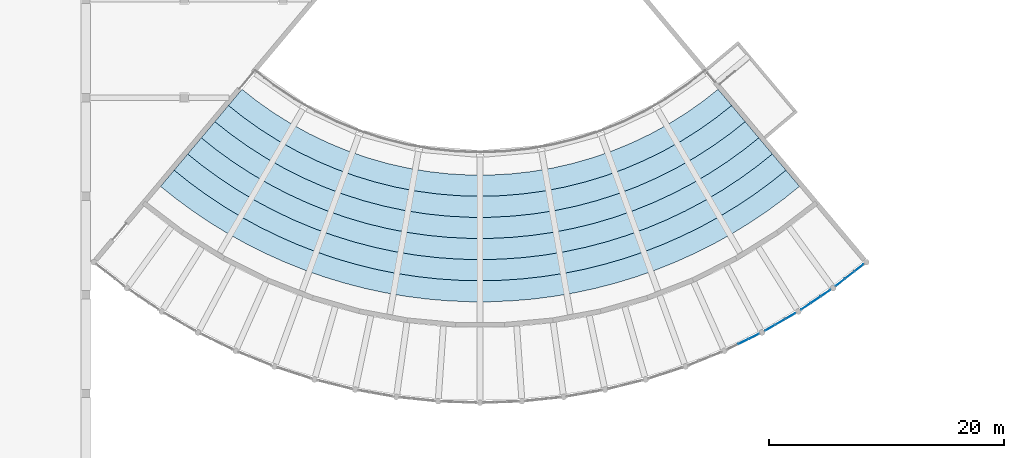
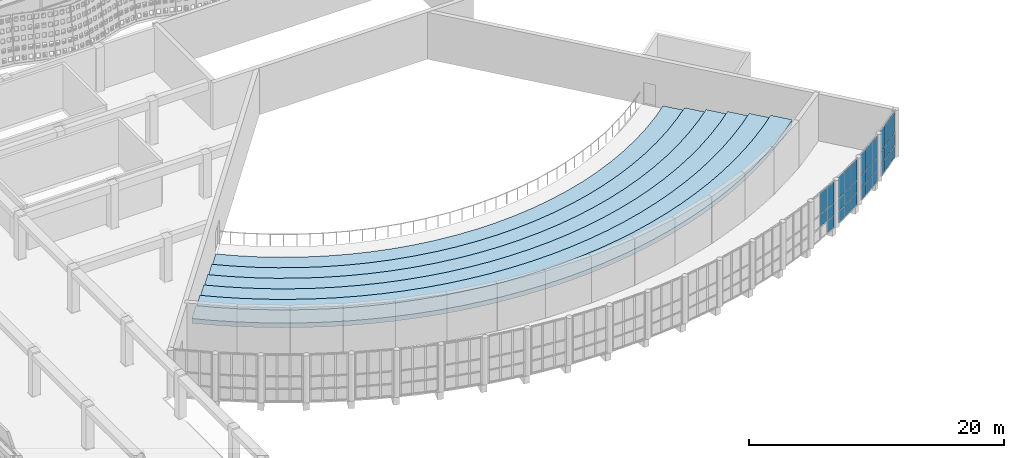
# One storey, part 72 of 162: 32 plates, 6 slabs, 4 elements without a shape of their own.
"""IFC4 building model written with IfcOpenShell, lengths in metres."""

from ifc_helpers import new_model, si_unit, direction, frame, origin, origin_2d, place, context, subcontext, project, spatial, polyline, rectangle, outline, extrude, material, layer, layer_set, type_object, element, aggregate, save


model = new_model("IFC4")

# Units and contexts
model_context = context("Model", 3, precision=1e-05, world=origin(), true_north=direction((0.0, 1.0)))
body_context = subcontext(model_context, "Body", "Model", "MODEL_VIEW")
ifc_project = project(units=[si_unit("LENGTHUNIT", "METRE"), si_unit("AREAUNIT", "SQUARE_METRE"), si_unit("VOLUMEUNIT", "CUBIC_METRE"), si_unit("PLANEANGLEUNIT", "RADIAN"), si_unit("MASSUNIT", "GRAM", prefix="KILO")], contexts=[model_context])

# Site, building, storey
site_placement = place(None, origin())
site = spatial("IfcSite", under=ifc_project, at=site_placement, CompositionType="ELEMENT")
building_placement = place(site_placement, origin())
building = spatial("IfcBuilding", under=site, at=building_placement, Name="Rain Tree Exposition and Congress Centre", CompositionType="ELEMENT")
storey_placement = place(building_placement, frame((0.0, 0.0, 6.0)))
storey = spatial("IfcBuildingStorey", under=building, at=storey_placement, Name="L01", CompositionType="ELEMENT", Elevation=6.0)

# Slabs
ifc_material_1 = material(Name="Precast concrete C50/60", Category="concrete")
ifc_layer_1 = layer(ifc_material_1, 0.449951171875)
ifc_layer_set_1 = layer_set([ifc_layer_1], Name="Precast concrete C50/60")
slab_type = type_object("IfcSlabType", Name="Balcony step slab 450", PredefinedType="FLOOR", material=ifc_layer_set_1)
slab_1_placement = place(storey_placement, frame((0.0, 0.0, -0.199951171875)))
element("IfcSlab", 1, at=slab_1_placement, inside=storey, type_object=slab_type, Name="Upper tier row 2", ObjectType="SEATING TIER", PredefinedType="USERDEFINED", context=body_context, shape_type="SweptSolid", body=[
    extrude(outline(polyline([(221.784912109375, 40.338623046875), (223.041015625, 41.33642578125), (221.8837890625, 42.715576171875), (220.64892578125, 41.73681640625), (219.197998046875, 40.713134765625), (217.69189453125, 39.772216796875), (216.1357421875, 38.91650390625), (214.5341796875, 38.1494140625), (212.892333984375, 37.472412109375), (211.21533203125, 36.888427734375), (209.50830078125, 36.399169921875), (207.776611328125, 36.005615234375), (206.025634765625, 35.70947265625), (204.260986328125, 35.511474609375), (202.48779296875, 35.412353515625), (200.712158203125, 35.412353515625), (198.93896484375, 35.511474609375), (197.17431640625, 35.70947265625), (195.42333984375, 36.005615234375), (193.691650390625, 36.399169921875), (191.984619140625, 36.888427734375), (190.3076171875, 37.472412109375), (188.665771484375, 38.1494140625), (187.064208984375, 38.91650390625), (185.508056640625, 39.772216796875), (184.002197265625, 40.713134765625), (182.551025390625, 41.73681640625), (181.316162109375, 42.715576171875), (180.158935546875, 41.33642578125), (181.4150390625, 40.338623046875), (182.885986328125, 39.2939453125), (184.410888671875, 38.32958984375), (185.9853515625, 37.44873046875), (187.604736328125, 36.6533203125), (189.2646484375, 35.9462890625), (190.9599609375, 35.3291015625), (192.68603515625, 34.803955078125), (194.437744140625, 34.372314453125), (196.210205078125, 34.03515625), (197.998046875, 33.793701171875), (199.79638671875, 33.6484375), (201.60009765625, 33.60009765625), (203.403564453125, 33.6484375), (205.201904296875, 33.793701171875), (206.98974609375, 34.03515625), (208.76220703125, 34.372314453125), (210.513916015625, 34.803955078125), (212.239990234375, 35.3291015625), (213.935302734375, 35.9462890625), (215.59521484375, 36.6533203125), (217.214599609375, 37.44873046875), (218.7890625, 38.32958984375), (220.31396484375, 39.2939453125), (221.784912109375, 40.338623046875)])), origin(), (0.0, 0.0, 1.0), 0.449951171875),
])
slab_2_placement = place(storey_placement, frame((0.0, 0.0, 0.050048828125)))
element("IfcSlab", 2, at=slab_2_placement, inside=storey, type_object=slab_type, Name="Upper tier row 3", ObjectType="SEATING TIER", PredefinedType="USERDEFINED", context=body_context, shape_type="SweptSolid", body=[
    extrude(outline(polyline([(222.922607421875, 38.942138671875), (224.197998046875, 39.95751953125), (223.041015625, 41.33642578125), (221.784912109375, 40.338623046875), (220.31396484375, 39.2939453125), (218.7890625, 38.32958984375), (217.214599609375, 37.44873046875), (215.59521484375, 36.6533203125), (213.935302734375, 35.9462890625), (212.239990234375, 35.3291015625), (210.513916015625, 34.803955078125), (208.76220703125, 34.372314453125), (206.98974609375, 34.03515625), (205.201904296875, 33.793701171875), (203.403564453125, 33.6484375), (201.60009765625, 33.60009765625), (199.79638671875, 33.6484375), (197.998046875, 33.793701171875), (196.210205078125, 34.03515625), (194.437744140625, 34.372314453125), (192.68603515625, 34.803955078125), (190.9599609375, 35.3291015625), (189.2646484375, 35.9462890625), (187.604736328125, 36.6533203125), (185.9853515625, 37.44873046875), (184.410888671875, 38.32958984375), (182.885986328125, 39.2939453125), (181.4150390625, 40.338623046875), (180.158935546875, 41.33642578125), (179.001953125, 39.95751953125), (180.277587890625, 38.942138671875), (181.7666015625, 37.877685546875), (183.308837890625, 36.8916015625), (184.89990234375, 35.98681640625), (186.53564453125, 35.165283203125), (188.211669921875, 34.429443359375), (189.923583984375, 33.781005859375), (191.66650390625, 33.222412109375), (193.436279296875, 32.754150390625), (195.2275390625, 32.37841796875), (197.0361328125, 32.095458984375), (198.856689453125, 31.906494140625), (200.684814453125, 31.811767578125), (202.51513671875, 31.811767578125), (204.34326171875, 31.906494140625), (206.163818359375, 32.095458984375), (207.972412109375, 32.37841796875), (209.763916015625, 32.754150390625), (211.533447265625, 33.222412109375), (213.2763671875, 33.781005859375), (214.98828125, 34.429443359375), (216.664306640625, 35.165283203125), (218.300048828125, 35.98681640625), (219.89111328125, 36.8916015625), (221.433349609375, 37.877685546875), (222.922607421875, 38.942138671875)])), origin(), (0.0, 0.0, 1.0), 0.449951171875),
])
slab_3_placement = place(storey_placement, frame((0.0, 0.0, 0.300048828125)))
element("IfcSlab", 3, at=slab_3_placement, inside=storey, type_object=slab_type, Name="Upper tier row 4", ObjectType="SEATING TIER", PredefinedType="USERDEFINED", context=body_context, shape_type="SweptSolid", body=[
    extrude(outline(polyline([(224.112548828125, 37.585205078125), (225.35546875, 38.578125), (224.197998046875, 39.95751953125), (222.922607421875, 38.942138671875), (221.433349609375, 37.877685546875), (219.89111328125, 36.8916015625), (218.300048828125, 35.98681640625), (216.664306640625, 35.165283203125), (214.98828125, 34.429443359375), (213.2763671875, 33.781005859375), (211.533447265625, 33.222412109375), (209.763916015625, 32.754150390625), (207.972412109375, 32.37841796875), (206.163818359375, 32.095458984375), (204.34326171875, 31.906494140625), (202.51513671875, 31.811767578125), (200.684814453125, 31.811767578125), (198.856689453125, 31.906494140625), (197.0361328125, 32.095458984375), (195.2275390625, 32.37841796875), (193.436279296875, 32.754150390625), (191.66650390625, 33.222412109375), (189.923583984375, 33.781005859375), (188.211669921875, 34.429443359375), (186.53564453125, 35.165283203125), (184.89990234375, 35.98681640625), (183.308837890625, 36.8916015625), (181.7666015625, 37.877685546875), (180.277587890625, 38.942138671875), (179.001953125, 39.95751953125), (177.844482421875, 38.578125), (179.08740234375, 37.585205078125), (180.538818359375, 36.5361328125), (182.0390625, 35.55810546875), (183.584716796875, 34.6533203125), (185.172119140625, 33.823974609375), (186.79736328125, 33.072021484375), (188.45703125, 32.399169921875), (190.147216796875, 31.806884765625), (191.86376953125, 31.296630859375), (193.60302734375, 30.86962890625), (195.36083984375, 30.52685546875), (197.133056640625, 30.269287109375), (198.915771484375, 30.096923828125), (200.70458984375, 30.0107421875), (202.495361328125, 30.0107421875), (204.2841796875, 30.096923828125), (206.06689453125, 30.269287109375), (207.839111328125, 30.52685546875), (209.596923828125, 30.86962890625), (211.336181640625, 31.296630859375), (213.052734375, 31.806884765625), (214.742919921875, 32.399169921875), (216.402587890625, 33.072021484375), (218.028076171875, 33.823974609375), (219.615234375, 34.6533203125), (221.160888671875, 35.55810546875), (222.6611328125, 36.5361328125), (224.112548828125, 37.585205078125)])), origin(), (0.0, 0.0, 1.0), 0.449951171875),
])
slab_4_placement = place(storey_placement, frame((0.0, 0.0, 0.550048828125)))
element("IfcSlab", 4, at=slab_4_placement, inside=storey, type_object=slab_type, Name="Upper tier row 5", ObjectType="SEATING TIER", PredefinedType="USERDEFINED", context=body_context, shape_type="SweptSolid", body=[
    extrude(outline(polyline([(225.251708984375, 36.190185546875), (226.512451171875, 37.19921875), (225.35546875, 38.578125), (224.112548828125, 37.585205078125), (222.6611328125, 36.5361328125), (221.160888671875, 35.55810546875), (219.615234375, 34.6533203125), (218.028076171875, 33.823974609375), (216.402587890625, 33.072021484375), (214.742919921875, 32.399169921875), (213.052734375, 31.806884765625), (211.336181640625, 31.296630859375), (209.596923828125, 30.86962890625), (207.839111328125, 30.52685546875), (206.06689453125, 30.269287109375), (204.2841796875, 30.096923828125), (202.495361328125, 30.0107421875), (200.70458984375, 30.0107421875), (198.915771484375, 30.096923828125), (197.133056640625, 30.269287109375), (195.36083984375, 30.52685546875), (193.60302734375, 30.86962890625), (191.86376953125, 31.296630859375), (190.147216796875, 31.806884765625), (188.45703125, 32.399169921875), (186.79736328125, 33.072021484375), (185.172119140625, 33.823974609375), (183.584716796875, 34.6533203125), (182.0390625, 35.55810546875), (180.538818359375, 36.5361328125), (179.08740234375, 37.585205078125), (177.844482421875, 38.578125), (176.6875, 37.19921875), (177.948486328125, 36.190185546875), (179.416748046875, 35.12353515625), (180.93310546875, 34.126220703125), (182.494384765625, 33.200439453125), (184.0966796875, 32.348388671875), (185.7373046875, 31.57177734375), (187.412109375, 30.872314453125), (189.11767578125, 30.25146484375), (190.85009765625, 29.710693359375), (192.60595703125, 29.251220703125), (194.38134765625, 28.873779296875), (196.172119140625, 28.57958984375), (197.97509765625, 28.368896484375), (199.785400390625, 28.2421875), (201.60009765625, 28.199951171875), (203.41455078125, 28.2421875), (205.22509765625, 28.368896484375), (207.02783203125, 28.57958984375), (208.818603515625, 28.873779296875), (210.593994140625, 29.251220703125), (212.349853515625, 29.710693359375), (214.08251953125, 30.25146484375), (215.787841796875, 30.872314453125), (217.462646484375, 31.57177734375), (219.103271484375, 32.348388671875), (220.705810546875, 33.200439453125), (222.266845703125, 34.126220703125), (223.783203125, 35.12353515625), (225.251708984375, 36.190185546875)])), origin(), (0.0, 0.0, 1.0), 0.449951171875),
])
slab_5_placement = place(storey_placement, frame((0.0, 0.0, 0.800048828125)))
element("IfcSlab", 5, at=slab_5_placement, inside=storey, type_object=slab_type, Name="Upper tier row 6", ObjectType="SEATING TIER", PredefinedType="USERDEFINED", context=body_context, shape_type="SweptSolid", body=[
    extrude(outline(polyline([(226.4375, 34.831298828125), (227.669677734375, 35.8203125), (226.512451171875, 37.19921875), (225.251708984375, 36.190185546875), (223.783203125, 35.12353515625), (222.266845703125, 34.126220703125), (220.705810546875, 33.200439453125), (219.103271484375, 32.348388671875), (217.462646484375, 31.57177734375), (215.787841796875, 30.872314453125), (214.08251953125, 30.25146484375), (212.349853515625, 29.710693359375), (210.593994140625, 29.251220703125), (208.818603515625, 28.873779296875), (207.02783203125, 28.57958984375), (205.22509765625, 28.368896484375), (203.41455078125, 28.2421875), (201.60009765625, 28.199951171875), (199.785400390625, 28.2421875), (197.97509765625, 28.368896484375), (196.172119140625, 28.57958984375), (194.38134765625, 28.873779296875), (192.60595703125, 29.251220703125), (190.85009765625, 29.710693359375), (189.11767578125, 30.25146484375), (187.412109375, 30.872314453125), (185.7373046875, 31.57177734375), (184.0966796875, 32.348388671875), (182.494384765625, 33.200439453125), (180.93310546875, 34.126220703125), (179.416748046875, 35.12353515625), (177.948486328125, 36.190185546875), (176.6875, 37.19921875), (175.5302734375, 35.8203125), (176.762451171875, 34.831298828125), (178.197998046875, 33.778564453125), (179.67822265625, 32.78955078125), (181.199951171875, 31.8662109375), (182.7607421875, 31.010009765625), (184.357177734375, 30.22265625), (185.986572265625, 29.505615234375), (187.6455078125, 28.860595703125), (189.331298828125, 28.288330078125), (191.040283203125, 27.790283203125), (192.769287109375, 27.3671875), (194.51513671875, 27.019775390625), (196.2744140625, 26.7490234375), (198.0439453125, 26.555419921875), (199.8203125, 26.438720703125), (201.60009765625, 26.39990234375), (203.379638671875, 26.438720703125), (205.156005859375, 26.555419921875), (206.925537109375, 26.7490234375), (208.684814453125, 27.019775390625), (210.4306640625, 27.3671875), (212.159912109375, 27.790283203125), (213.868896484375, 28.288330078125), (215.554443359375, 28.860595703125), (217.21337890625, 29.505615234375), (218.8427734375, 30.22265625), (220.439208984375, 31.010009765625), (222.0, 31.8662109375), (223.521728515625, 32.78955078125), (225.001953125, 33.778564453125), (226.4375, 34.831298828125)])), origin(), (0.0, 0.0, 1.0), 0.449951171875),
])
slab_6_placement = place(storey_placement, frame((0.0, 0.0, 1.050048828125)))
element("IfcSlab", 6, at=slab_6_placement, inside=storey, type_object=slab_type, Name="Upper tier row 7", ObjectType="SEATING TIER", PredefinedType="USERDEFINED", context=body_context, shape_type="SweptSolid", body=[
    extrude(outline(polyline([(227.577880859375, 33.4375), (228.826904296875, 34.441162109375), (227.669677734375, 35.8203125), (226.4375, 34.831298828125), (225.001953125, 33.778564453125), (223.521728515625, 32.78955078125), (222.0, 31.8662109375), (220.439208984375, 31.010009765625), (218.8427734375, 30.22265625), (217.21337890625, 29.505615234375), (215.554443359375, 28.860595703125), (213.868896484375, 28.288330078125), (212.159912109375, 27.790283203125), (210.4306640625, 27.3671875), (208.684814453125, 27.019775390625), (206.925537109375, 26.7490234375), (205.156005859375, 26.555419921875), (203.379638671875, 26.438720703125), (201.60009765625, 26.39990234375), (199.8203125, 26.438720703125), (198.0439453125, 26.555419921875), (196.2744140625, 26.7490234375), (194.51513671875, 27.019775390625), (192.769287109375, 27.3671875), (191.040283203125, 27.790283203125), (189.331298828125, 28.288330078125), (187.6455078125, 28.860595703125), (185.986572265625, 29.505615234375), (184.357177734375, 30.22265625), (182.7607421875, 31.010009765625), (181.199951171875, 31.8662109375), (179.67822265625, 32.78955078125), (178.197998046875, 33.778564453125), (176.762451171875, 34.831298828125), (175.5302734375, 35.8203125), (174.373291015625, 34.441162109375), (175.6220703125, 33.4375), (177.073486328125, 32.368896484375), (178.568603515625, 31.362548828125), (180.105224609375, 30.42041015625), (181.68017578125, 29.544189453125), (183.290771484375, 28.7353515625), (184.93408203125, 27.995361328125), (186.607421875, 27.325439453125), (188.307373046875, 26.72705078125), (190.03125, 26.200927734375), (191.77587890625, 25.748291015625), (193.537841796875, 25.369873046875), (195.314453125, 25.06640625), (197.102294921875, 24.838134765625), (198.898193359375, 24.685791015625), (200.69873046875, 24.609619140625), (202.501220703125, 24.609619140625), (204.302001953125, 24.685791015625), (206.09765625, 24.838134765625), (207.885498046875, 25.06640625), (209.662109375, 25.369873046875), (211.42431640625, 25.748291015625), (213.168701171875, 26.200927734375), (214.892578125, 26.72705078125), (216.5927734375, 27.325439453125), (218.265869140625, 27.995361328125), (219.9091796875, 28.7353515625), (221.52001953125, 29.544189453125), (223.0947265625, 30.42041015625), (224.63134765625, 31.362548828125), (226.126708984375, 32.368896484375), (227.577880859375, 33.4375)])), origin(), (0.0, 0.0, 1.0), 0.449951171875),
])

# Curtain wall, plates
ifc_material_2 = material(Name="Aluminium", Category="aluminium")
ifc_layer_2 = layer(ifc_material_2, 0.10009765625)
ifc_layer_set_2 = layer_set([ifc_layer_2], Name="Aluminium")
curtain_wall_type = type_object("IfcCurtainWallType", Name="Curtain wall congress", PredefinedType="NOTDEFINED", material=ifc_layer_set_2)
curtain_wall_1_placement = place(storey_placement, origin())
curtain_wall_1 = element("IfcCurtainWall", 7, at=curtain_wall_1_placement, inside=storey, type_object=curtain_wall_type, Name="Curtain wall L01 bay 17", PredefinedType="NOTDEFINED")
ifc_material_3 = material(Name="Double glazed unit", Category="glass")
ifc_layer_3 = layer(ifc_material_3, 0.028076171875)
ifc_layer_set_3 = layer_set([ifc_layer_3], Name="Double glazed unit")
plate_type = type_object("IfcPlateType", Name="Glazing panel 28 congress", PredefinedType="CURTAIN_PANEL", material=ifc_layer_set_3)
plate_1_placement = place(storey_placement, frame((224.031005859375, 21.209716796875, 1.22998046875), z_axis=(0.0, 0.0, 1.0), x_axis=(0.898795334475, 0.438368505628, 0.0)))
plate_1 = element("IfcPlate", 8, at=plate_1_placement, type_object=plate_type, Name="CWG217 panel 2.2", PredefinedType="CURTAIN_PANEL", context=body_context, shape_type="SweptSolid", body=[
    extrude(rectangle(XDim=0.964599609375, YDim=0.028076171875, at=origin_2d()), origin(), (0.0, 0.0, 1.0), 1.139892578125),
])
plate_2_placement = place(storey_placement, frame((224.031005859375, 21.209716796875, 2.43017578125), z_axis=(0.0, 0.0, 1.0), x_axis=(0.898795334475, 0.438368505628, 0.0)))
plate_2 = element("IfcPlate", 9, at=plate_2_placement, type_object=plate_type, Name="CWG217 panel 2.3", PredefinedType="CURTAIN_PANEL", context=body_context, shape_type="SweptSolid", body=[
    extrude(rectangle(XDim=0.964599609375, YDim=0.028076171875, at=origin_2d()), origin(), (0.0, 0.0, 1.0), 2.010009765625),
])
plate_3_placement = place(storey_placement, frame((224.938232421875, 21.65234375, 0.06005859375), z_axis=(0.0, 0.0, 1.0), x_axis=(0.898795334475, 0.438368505628, 0.0)))
plate_3 = element("IfcPlate", 10, at=plate_3_placement, type_object=plate_type, Name="CWG217 panel 3.1", PredefinedType="CURTAIN_PANEL", context=body_context, shape_type="SweptSolid", body=[
    extrude(rectangle(XDim=0.9345703125, YDim=0.028076171875, at=origin_2d()), origin(), (0.0, 0.0, 1.0), 1.110107421875),
])
plate_4_placement = place(storey_placement, frame((224.938232421875, 21.65234375, 1.22998046875), z_axis=(0.0, 0.0, 1.0), x_axis=(0.898795334475, 0.438368505628, 0.0)))
plate_4 = element("IfcPlate", 11, at=plate_4_placement, type_object=plate_type, Name="CWG217 panel 3.2", PredefinedType="CURTAIN_PANEL", context=body_context, shape_type="SweptSolid", body=[
    extrude(rectangle(XDim=0.9345703125, YDim=0.028076171875, at=origin_2d()), origin(), (0.0, 0.0, 1.0), 1.139892578125),
])
plate_5_placement = place(storey_placement, frame((224.938232421875, 21.65234375, 2.43017578125), z_axis=(0.0, 0.0, 1.0), x_axis=(0.898795334475, 0.438368505628, 0.0)))
plate_5 = element("IfcPlate", 12, at=plate_5_placement, type_object=plate_type, Name="CWG217 panel 3.3", PredefinedType="CURTAIN_PANEL", context=body_context, shape_type="SweptSolid", body=[
    extrude(rectangle(XDim=0.9345703125, YDim=0.028076171875, at=origin_2d()), origin(), (0.0, 0.0, 1.0), 2.010009765625),
])
aggregate(curtain_wall_1, [plate_1, plate_2, plate_3, plate_4, plate_5])

curtain_wall_2_placement = place(storey_placement, origin())
curtain_wall_2 = element("IfcCurtainWall", 13, at=curtain_wall_2_placement, inside=storey, type_object=curtain_wall_type, Name="Curtain wall L01 bay 18", PredefinedType="NOTDEFINED")
plate_6_placement = place(storey_placement, frame((226.31005859375, 22.3818359375, 0.06005859375), z_axis=(0.0, 0.0, 1.0), x_axis=(0.866032261861, 0.499988121275, 0.0)))
plate_6 = element("IfcPlate", 14, at=plate_6_placement, type_object=plate_type, Name="CWG218 panel 1.1", PredefinedType="CURTAIN_PANEL", context=body_context, shape_type="SweptSolid", body=[
    extrude(rectangle(XDim=0.9345703125, YDim=0.028076171875, at=origin_2d()), origin(), (0.0, 0.0, 1.0), 1.110107421875),
])
plate_7_placement = place(storey_placement, frame((226.31005859375, 22.3818359375, 1.22998046875), z_axis=(0.0, 0.0, 1.0), x_axis=(0.866032261861, 0.499988121275, 0.0)))
plate_7 = element("IfcPlate", 15, at=plate_7_placement, type_object=plate_type, Name="CWG218 panel 1.2", PredefinedType="CURTAIN_PANEL", context=body_context, shape_type="SweptSolid", body=[
    extrude(rectangle(XDim=0.9345703125, YDim=0.028076171875, at=origin_2d()), origin(), (0.0, 0.0, 1.0), 1.139892578125),
])
plate_8_placement = place(storey_placement, frame((226.31005859375, 22.3818359375, 2.43017578125), z_axis=(0.0, 0.0, 1.0), x_axis=(0.866032261861, 0.499988121275, 0.0)))
plate_8 = element("IfcPlate", 16, at=plate_8_placement, type_object=plate_type, Name="CWG218 panel 1.3", PredefinedType="CURTAIN_PANEL", context=body_context, shape_type="SweptSolid", body=[
    extrude(rectangle(XDim=0.9345703125, YDim=0.028076171875, at=origin_2d()), origin(), (0.0, 0.0, 1.0), 2.010009765625),
])
plate_9_placement = place(storey_placement, frame((227.1845703125, 22.886474609375, 0.06005859375), z_axis=(0.0, 0.0, 1.0), x_axis=(0.866032261861, 0.499988121275, 0.0)))
plate_9 = element("IfcPlate", 17, at=plate_9_placement, type_object=plate_type, Name="CWG218 panel 2.1", PredefinedType="CURTAIN_PANEL", context=body_context, shape_type="SweptSolid", body=[
    extrude(rectangle(XDim=0.964599609375, YDim=0.028076171875, at=origin_2d()), origin(), (0.0, 0.0, 1.0), 1.110107421875),
])
plate_10_placement = place(storey_placement, frame((227.1845703125, 22.886474609375, 1.22998046875), z_axis=(0.0, 0.0, 1.0), x_axis=(0.866032261861, 0.499988121275, 0.0)))
plate_10 = element("IfcPlate", 18, at=plate_10_placement, type_object=plate_type, Name="CWG218 panel 2.2", PredefinedType="CURTAIN_PANEL", context=body_context, shape_type="SweptSolid", body=[
    extrude(rectangle(XDim=0.964599609375, YDim=0.028076171875, at=origin_2d()), origin(), (0.0, 0.0, 1.0), 1.139892578125),
])
plate_11_placement = place(storey_placement, frame((227.1845703125, 22.886474609375, 2.43017578125), z_axis=(0.0, 0.0, 1.0), x_axis=(0.866032261861, 0.499988121275, 0.0)))
plate_11 = element("IfcPlate", 19, at=plate_11_placement, type_object=plate_type, Name="CWG218 panel 2.3", PredefinedType="CURTAIN_PANEL", context=body_context, shape_type="SweptSolid", body=[
    extrude(rectangle(XDim=0.964599609375, YDim=0.028076171875, at=origin_2d()), origin(), (0.0, 0.0, 1.0), 2.010009765625),
])
plate_12_placement = place(storey_placement, frame((228.058837890625, 23.391357421875, 0.06005859375), z_axis=(0.0, 0.0, 1.0), x_axis=(0.866032261861, 0.499988121275, 0.0)))
plate_12 = element("IfcPlate", 20, at=plate_12_placement, type_object=plate_type, Name="CWG218 panel 3.1", PredefinedType="CURTAIN_PANEL", context=body_context, shape_type="SweptSolid", body=[
    extrude(rectangle(XDim=0.9345703125, YDim=0.028076171875, at=origin_2d()), origin(), (0.0, 0.0, 1.0), 1.110107421875),
])
plate_13_placement = place(storey_placement, frame((228.058837890625, 23.391357421875, 1.22998046875), z_axis=(0.0, 0.0, 1.0), x_axis=(0.866032261861, 0.499988121275, 0.0)))
plate_13 = element("IfcPlate", 21, at=plate_13_placement, type_object=plate_type, Name="CWG218 panel 3.2", PredefinedType="CURTAIN_PANEL", context=body_context, shape_type="SweptSolid", body=[
    extrude(rectangle(XDim=0.9345703125, YDim=0.028076171875, at=origin_2d()), origin(), (0.0, 0.0, 1.0), 1.139892578125),
])
plate_14_placement = place(storey_placement, frame((228.058837890625, 23.391357421875, 2.43017578125), z_axis=(0.0, 0.0, 1.0), x_axis=(0.866032261861, 0.499988121275, 0.0)))
plate_14 = element("IfcPlate", 22, at=plate_14_placement, type_object=plate_type, Name="CWG218 panel 3.3", PredefinedType="CURTAIN_PANEL", context=body_context, shape_type="SweptSolid", body=[
    extrude(rectangle(XDim=0.9345703125, YDim=0.028076171875, at=origin_2d()), origin(), (0.0, 0.0, 1.0), 2.010009765625),
])
aggregate(curtain_wall_2, [plate_6, plate_7, plate_8, plate_9, plate_10, plate_11, plate_12, plate_13, plate_14])

curtain_wall_3_placement = place(storey_placement, origin())
curtain_wall_3 = element("IfcCurtainWall", 23, at=curtain_wall_3_placement, inside=storey, type_object=curtain_wall_type, Name="Curtain wall L01 bay 19", PredefinedType="NOTDEFINED")
plate_15_placement = place(storey_placement, frame((229.376220703125, 24.214599609375, 0.06005859375), z_axis=(0.0, 0.0, 1.0), x_axis=(0.829034948577, 0.559196793659, 0.0)))
plate_15 = element("IfcPlate", 24, at=plate_15_placement, type_object=plate_type, Name="CWG219 panel 1.1", PredefinedType="CURTAIN_PANEL", context=body_context, shape_type="SweptSolid", body=[
    extrude(rectangle(XDim=0.9345703125, YDim=0.028076171875, at=origin_2d()), origin(), (0.0, 0.0, 1.0), 1.110107421875),
])
plate_16_placement = place(storey_placement, frame((229.376220703125, 24.214599609375, 1.22998046875), z_axis=(0.0, 0.0, 1.0), x_axis=(0.829034948577, 0.559196793659, 0.0)))
plate_16 = element("IfcPlate", 25, at=plate_16_placement, type_object=plate_type, Name="CWG219 panel 1.2", PredefinedType="CURTAIN_PANEL", context=body_context, shape_type="SweptSolid", body=[
    extrude(rectangle(XDim=0.9345703125, YDim=0.028076171875, at=origin_2d()), origin(), (0.0, 0.0, 1.0), 1.139892578125),
])
plate_17_placement = place(storey_placement, frame((229.376220703125, 24.214599609375, 2.43017578125), z_axis=(0.0, 0.0, 1.0), x_axis=(0.829034948577, 0.559196793659, 0.0)))
plate_17 = element("IfcPlate", 26, at=plate_17_placement, type_object=plate_type, Name="CWG219 panel 1.3", PredefinedType="CURTAIN_PANEL", context=body_context, shape_type="SweptSolid", body=[
    extrude(rectangle(XDim=0.9345703125, YDim=0.028076171875, at=origin_2d()), origin(), (0.0, 0.0, 1.0), 2.010009765625),
])
plate_18_placement = place(storey_placement, frame((230.213134765625, 24.779052734375, 0.06005859375), z_axis=(0.0, 0.0, 1.0), x_axis=(0.829034948577, 0.559196793659, 0.0)))
plate_18 = element("IfcPlate", 27, at=plate_18_placement, type_object=plate_type, Name="CWG219 panel 2.1", PredefinedType="CURTAIN_PANEL", context=body_context, shape_type="SweptSolid", body=[
    extrude(rectangle(XDim=0.964599609375, YDim=0.028076171875, at=origin_2d()), origin(), (0.0, 0.0, 1.0), 1.110107421875),
])
plate_19_placement = place(storey_placement, frame((230.213134765625, 24.779052734375, 1.22998046875), z_axis=(0.0, 0.0, 1.0), x_axis=(0.829034948577, 0.559196793659, 0.0)))
plate_19 = element("IfcPlate", 28, at=plate_19_placement, type_object=plate_type, Name="CWG219 panel 2.2", PredefinedType="CURTAIN_PANEL", context=body_context, shape_type="SweptSolid", body=[
    extrude(rectangle(XDim=0.964599609375, YDim=0.028076171875, at=origin_2d()), origin(), (0.0, 0.0, 1.0), 1.139892578125),
])
plate_20_placement = place(storey_placement, frame((230.213134765625, 24.779052734375, 2.43017578125), z_axis=(0.0, 0.0, 1.0), x_axis=(0.829034948577, 0.559196793659, 0.0)))
plate_20 = element("IfcPlate", 29, at=plate_20_placement, type_object=plate_type, Name="CWG219 panel 2.3", PredefinedType="CURTAIN_PANEL", context=body_context, shape_type="SweptSolid", body=[
    extrude(rectangle(XDim=0.964599609375, YDim=0.028076171875, at=origin_2d()), origin(), (0.0, 0.0, 1.0), 2.010009765625),
])
plate_21_placement = place(storey_placement, frame((231.050048828125, 25.34375, 0.06005859375), z_axis=(0.0, 0.0, 1.0), x_axis=(0.829034948577, 0.559196793659, 0.0)))
plate_21 = element("IfcPlate", 30, at=plate_21_placement, type_object=plate_type, Name="CWG219 panel 3.1", PredefinedType="CURTAIN_PANEL", context=body_context, shape_type="SweptSolid", body=[
    extrude(rectangle(XDim=0.9345703125, YDim=0.028076171875, at=origin_2d()), origin(), (0.0, 0.0, 1.0), 1.110107421875),
])
plate_22_placement = place(storey_placement, frame((231.050048828125, 25.34375, 1.22998046875), z_axis=(0.0, 0.0, 1.0), x_axis=(0.829034948577, 0.559196793659, 0.0)))
plate_22 = element("IfcPlate", 31, at=plate_22_placement, type_object=plate_type, Name="CWG219 panel 3.2", PredefinedType="CURTAIN_PANEL", context=body_context, shape_type="SweptSolid", body=[
    extrude(rectangle(XDim=0.9345703125, YDim=0.028076171875, at=origin_2d()), origin(), (0.0, 0.0, 1.0), 1.139892578125),
])
plate_23_placement = place(storey_placement, frame((231.050048828125, 25.34375, 2.43017578125), z_axis=(0.0, 0.0, 1.0), x_axis=(0.829034948577, 0.559196793659, 0.0)))
plate_23 = element("IfcPlate", 32, at=plate_23_placement, type_object=plate_type, Name="CWG219 panel 3.3", PredefinedType="CURTAIN_PANEL", context=body_context, shape_type="SweptSolid", body=[
    extrude(rectangle(XDim=0.9345703125, YDim=0.028076171875, at=origin_2d()), origin(), (0.0, 0.0, 1.0), 2.010009765625),
])
aggregate(curtain_wall_3, [plate_15, plate_16, plate_17, plate_18, plate_19, plate_20, plate_21, plate_22, plate_23])

curtain_wall_4_placement = place(storey_placement, origin())
curtain_wall_4 = element("IfcCurtainWall", 33, at=curtain_wall_4_placement, inside=storey, type_object=curtain_wall_type, Name="Curtain wall L01 bay 20", PredefinedType="NOTDEFINED")
plate_24_placement = place(storey_placement, frame((232.30712890625, 26.2568359375, 0.06005859375), z_axis=(0.0, 0.0, 1.0), x_axis=(0.788003164084, 0.615671189348, 0.0)))
plate_24 = element("IfcPlate", 34, at=plate_24_placement, type_object=plate_type, Name="CWG220 panel 1.1", PredefinedType="CURTAIN_PANEL", context=body_context, shape_type="SweptSolid", body=[
    extrude(rectangle(XDim=0.9345703125, YDim=0.028076171875, at=origin_2d()), origin(), (0.0, 0.0, 1.0), 1.110107421875),
])
plate_25_placement = place(storey_placement, frame((232.30712890625, 26.2568359375, 1.22998046875), z_axis=(0.0, 0.0, 1.0), x_axis=(0.788003164084, 0.615671189348, 0.0)))
plate_25 = element("IfcPlate", 35, at=plate_25_placement, type_object=plate_type, Name="CWG220 panel 1.2", PredefinedType="CURTAIN_PANEL", context=body_context, shape_type="SweptSolid", body=[
    extrude(rectangle(XDim=0.9345703125, YDim=0.028076171875, at=origin_2d()), origin(), (0.0, 0.0, 1.0), 1.139892578125),
])
plate_26_placement = place(storey_placement, frame((232.30712890625, 26.2568359375, 2.43017578125), z_axis=(0.0, 0.0, 1.0), x_axis=(0.788003164084, 0.615671189348, 0.0)))
plate_26 = element("IfcPlate", 36, at=plate_26_placement, type_object=plate_type, Name="CWG220 panel 1.3", PredefinedType="CURTAIN_PANEL", context=body_context, shape_type="SweptSolid", body=[
    extrude(rectangle(XDim=0.9345703125, YDim=0.028076171875, at=origin_2d()), origin(), (0.0, 0.0, 1.0), 2.010009765625),
])
plate_27_placement = place(storey_placement, frame((233.1025390625, 26.87841796875, 0.06005859375), z_axis=(0.0, 0.0, 1.0), x_axis=(0.788003164084, 0.615671189348, 0.0)))
plate_27 = element("IfcPlate", 37, at=plate_27_placement, type_object=plate_type, Name="CWG220 panel 2.1", PredefinedType="CURTAIN_PANEL", context=body_context, shape_type="SweptSolid", body=[
    extrude(rectangle(XDim=0.964599609375, YDim=0.028076171875, at=origin_2d()), origin(), (0.0, 0.0, 1.0), 1.110107421875),
])
plate_28_placement = place(storey_placement, frame((233.1025390625, 26.87841796875, 1.22998046875), z_axis=(0.0, 0.0, 1.0), x_axis=(0.788003164084, 0.615671189348, 0.0)))
plate_28 = element("IfcPlate", 38, at=plate_28_placement, type_object=plate_type, Name="CWG220 panel 2.2", PredefinedType="CURTAIN_PANEL", context=body_context, shape_type="SweptSolid", body=[
    extrude(rectangle(XDim=0.964599609375, YDim=0.028076171875, at=origin_2d()), origin(), (0.0, 0.0, 1.0), 1.139892578125),
])
plate_29_placement = place(storey_placement, frame((233.1025390625, 26.87841796875, 2.43017578125), z_axis=(0.0, 0.0, 1.0), x_axis=(0.788003164084, 0.615671189348, 0.0)))
plate_29 = element("IfcPlate", 39, at=plate_29_placement, type_object=plate_type, Name="CWG220 panel 2.3", PredefinedType="CURTAIN_PANEL", context=body_context, shape_type="SweptSolid", body=[
    extrude(rectangle(XDim=0.964599609375, YDim=0.028076171875, at=origin_2d()), origin(), (0.0, 0.0, 1.0), 2.010009765625),
])
plate_30_placement = place(storey_placement, frame((233.898193359375, 27.5, 0.06005859375), z_axis=(0.0, 0.0, 1.0), x_axis=(0.788003164084, 0.615671189348, 0.0)))
plate_30 = element("IfcPlate", 40, at=plate_30_placement, type_object=plate_type, Name="CWG220 panel 3.1", PredefinedType="CURTAIN_PANEL", context=body_context, shape_type="SweptSolid", body=[
    extrude(rectangle(XDim=0.9345703125, YDim=0.028076171875, at=origin_2d()), origin(), (0.0, 0.0, 1.0), 1.110107421875),
])
plate_31_placement = place(storey_placement, frame((233.898193359375, 27.5, 1.22998046875), z_axis=(0.0, 0.0, 1.0), x_axis=(0.788003164084, 0.615671189348, 0.0)))
plate_31 = element("IfcPlate", 41, at=plate_31_placement, type_object=plate_type, Name="CWG220 panel 3.2", PredefinedType="CURTAIN_PANEL", context=body_context, shape_type="SweptSolid", body=[
    extrude(rectangle(XDim=0.9345703125, YDim=0.028076171875, at=origin_2d()), origin(), (0.0, 0.0, 1.0), 1.139892578125),
])
plate_32_placement = place(storey_placement, frame((233.898193359375, 27.5, 2.43017578125), z_axis=(0.0, 0.0, 1.0), x_axis=(0.788003164084, 0.615671189348, 0.0)))
plate_32 = element("IfcPlate", 42, at=plate_32_placement, type_object=plate_type, Name="CWG220 panel 3.3", PredefinedType="CURTAIN_PANEL", context=body_context, shape_type="SweptSolid", body=[
    extrude(rectangle(XDim=0.9345703125, YDim=0.028076171875, at=origin_2d()), origin(), (0.0, 0.0, 1.0), 2.010009765625),
])
aggregate(curtain_wall_4, [plate_24, plate_25, plate_26, plate_27, plate_28, plate_29, plate_30, plate_31, plate_32])

save(model, "model.ifc")
